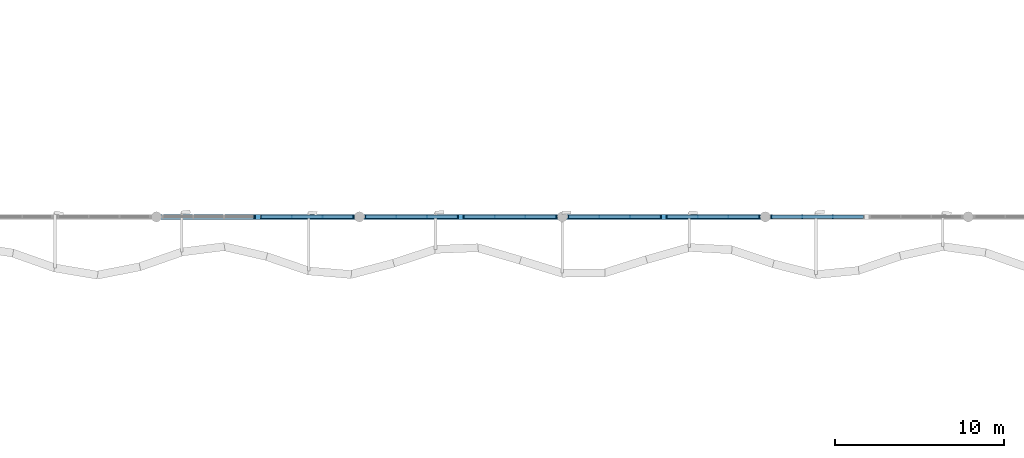
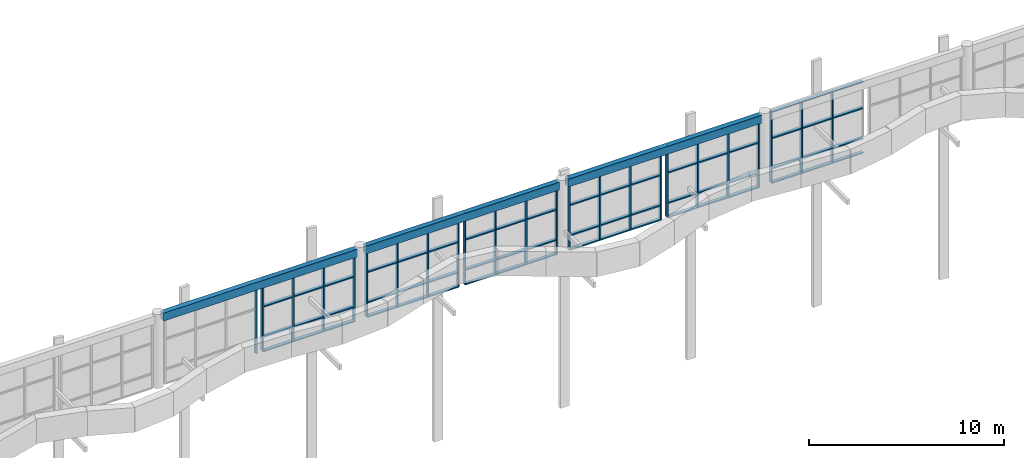
# One storey, part 17 of 63: 48 members, 3 beams, 7 elements without a shape of their own.
"""IFC4 building model written with IfcOpenShell, lengths in metres."""

from ifc_helpers import new_model, si_unit, direction, frame, origin, origin_2d, place, context, subcontext, project, spatial, rectangle, hollow_rectangle, extrude, material, layer, layer_set, material_profile, profile_set, type_object, element, aggregate, save


model = new_model("IFC4")

# Units and contexts
model_context = context("Model", 3, precision=1e-05, world=origin(), true_north=direction((0.0, 1.0)))
body_context = subcontext(model_context, "Body", "Model", "MODEL_VIEW")
ifc_project = project(units=[si_unit("LENGTHUNIT", "METRE"), si_unit("AREAUNIT", "SQUARE_METRE"), si_unit("VOLUMEUNIT", "CUBIC_METRE"), si_unit("PLANEANGLEUNIT", "RADIAN"), si_unit("MASSUNIT", "GRAM", prefix="KILO")], contexts=[model_context])

# Site, building, storey
site_placement = place(None, origin())
site = spatial("IfcSite", under=ifc_project, at=site_placement, CompositionType="ELEMENT")
building_placement = place(site_placement, origin())
building = spatial("IfcBuilding", under=site, at=building_placement, Name="Keelwater Ferry Terminal", CompositionType="ELEMENT")
storey_placement = place(building_placement, frame((0.0, 0.0, 10.199951171875)))
storey = spatial("IfcBuildingStorey", under=building, at=storey_placement, Name="L02", CompositionType="ELEMENT", Elevation=10.199951171875)

# Curtain wall, member
ifc_material_1 = material(Name="Thermally broken unitised aluminium and triple glass", Category="aluminium")
ifc_layer = layer(ifc_material_1, 0.179931640625)
ifc_layer_set = layer_set([ifc_layer], Name="Thermally broken unitised aluminium and triple glass")
curtain_wall_type = type_object("IfcCurtainWallType", Name="CW-04 Unitised Curtain Wall 5430x4450", PredefinedType="USERDEFINED", material=ifc_layer_set)
curtain_wall_1_placement = place(storey_placement, origin())
curtain_wall_1 = element("IfcCurtainWall", 1, at=curtain_wall_1_placement, inside=storey, type_object=curtain_wall_type, Name="Unitised Curtain Wall CW-L02-013", ObjectType="UNITISED CURTAIN WALL", PredefinedType="USERDEFINED")
ifc_material_2 = material(Name="Aluminium mullion", Category="aluminium")
ifc_material_profile_1 = material_profile(ifc_material_2, rectangle(XDim=0.074951171875, YDim=0.219970703125, at=origin_2d()), Name="CWM-02")
ifc_profile_set_1 = profile_set([ifc_material_profile_1], Name="Aluminium mullion")
member_type_1 = type_object("IfcMemberType", Name="CWM-02 Curtain Mullion 75x220", PredefinedType="MULLION", material=ifc_profile_set_1)
member_1_placement = place(storey_placement, frame((65.804931640625, 42.0, 0.0), z_axis=(0.0, 0.0, 1.0), x_axis=(1.0, 0.0, 0.0)))
member_1 = element("IfcMember", 2, at=member_1_placement, type_object=member_type_1, Name="CW-L02-013 Mullion 4", PredefinedType="MULLION", context=body_context, shape_type="SweptSolid", body=[
    extrude(rectangle(XDim=0.074951171875, YDim=0.219970703125, at=origin_2d()), origin(), (0.0, 0.0, 1.0), 4.449951171875),
])
aggregate(curtain_wall_1, [member_1])

# Curtain wall, members
curtain_wall_2_placement = place(storey_placement, origin())
curtain_wall_2 = element("IfcCurtainWall", 3, at=curtain_wall_2_placement, inside=storey, type_object=curtain_wall_type, Name="Unitised Curtain Wall CW-L02-014", ObjectType="UNITISED CURTAIN WALL", PredefinedType="USERDEFINED")
member_2_placement = place(storey_placement, frame((66.195068359375, 42.0, 0.0), z_axis=(0.0, 0.0, 1.0), x_axis=(1.0, 0.0, 0.0)))
member_2 = element("IfcMember", 4, at=member_2_placement, type_object=member_type_1, Name="CW-L02-014 Mullion 1", PredefinedType="MULLION", context=body_context, shape_type="SweptSolid", body=[
    extrude(rectangle(XDim=0.074951171875, YDim=0.219970703125, at=origin_2d()), origin(), (0.0, 0.0, 1.0), 4.449951171875),
])
member_3_placement = place(storey_placement, frame((68.0048828125, 42.0, 0.0), z_axis=(0.0, 0.0, 1.0), x_axis=(1.0, 0.0, 0.0)))
member_3 = element("IfcMember", 5, at=member_3_placement, type_object=member_type_1, Name="CW-L02-014 Mullion 2", PredefinedType="MULLION", context=body_context, shape_type="SweptSolid", body=[
    extrude(rectangle(XDim=0.074951171875, YDim=0.219970703125, at=origin_2d()), origin(), (0.0, 0.0, 1.0), 4.449951171875),
])
member_4_placement = place(storey_placement, frame((69.81494140625, 42.0, 0.0), z_axis=(0.0, 0.0, 1.0), x_axis=(1.0, 0.0, 0.0)))
member_4 = element("IfcMember", 6, at=member_4_placement, type_object=member_type_1, Name="CW-L02-014 Mullion 3", PredefinedType="MULLION", context=body_context, shape_type="SweptSolid", body=[
    extrude(rectangle(XDim=0.074951171875, YDim=0.219970703125, at=origin_2d()), origin(), (0.0, 0.0, 1.0), 4.449951171875),
])
member_5_placement = place(storey_placement, frame((71.625, 42.0, 0.0), z_axis=(0.0, 0.0, 1.0), x_axis=(1.0, 0.0, 0.0)))
member_5 = element("IfcMember", 7, at=member_5_placement, type_object=member_type_1, Name="CW-L02-014 Mullion 4", PredefinedType="MULLION", context=body_context, shape_type="SweptSolid", body=[
    extrude(rectangle(XDim=0.074951171875, YDim=0.219970703125, at=origin_2d()), origin(), (0.0, 0.0, 1.0), 4.449951171875),
])

curtain_wall_3_placement = place(storey_placement, origin())
curtain_wall_3 = element("IfcCurtainWall", 8, at=curtain_wall_3_placement, inside=storey, type_object=curtain_wall_type, Name="Unitised Curtain Wall CW-L02-015", ObjectType="UNITISED CURTAIN WALL", PredefinedType="USERDEFINED")
member_6_placement = place(storey_placement, frame((72.375, 42.0, 0.0), z_axis=(0.0, 0.0, 1.0), x_axis=(1.0, 0.0, 0.0)))
member_6 = element("IfcMember", 9, at=member_6_placement, type_object=member_type_1, Name="CW-L02-015 Mullion 1", PredefinedType="MULLION", context=body_context, shape_type="SweptSolid", body=[
    extrude(rectangle(XDim=0.074951171875, YDim=0.219970703125, at=origin_2d()), origin(), (0.0, 0.0, 1.0), 4.449951171875),
])
member_7_placement = place(storey_placement, frame((74.18505859375, 42.0, 0.0), z_axis=(0.0, 0.0, 1.0), x_axis=(1.0, 0.0, 0.0)))
member_7 = element("IfcMember", 10, at=member_7_placement, type_object=member_type_1, Name="CW-L02-015 Mullion 2", PredefinedType="MULLION", context=body_context, shape_type="SweptSolid", body=[
    extrude(rectangle(XDim=0.074951171875, YDim=0.219970703125, at=origin_2d()), origin(), (0.0, 0.0, 1.0), 4.449951171875),
])
member_8_placement = place(storey_placement, frame((75.9951171875, 42.0, 0.0), z_axis=(0.0, 0.0, 1.0), x_axis=(1.0, 0.0, 0.0)))
member_8 = element("IfcMember", 11, at=member_8_placement, type_object=member_type_1, Name="CW-L02-015 Mullion 3", PredefinedType="MULLION", context=body_context, shape_type="SweptSolid", body=[
    extrude(rectangle(XDim=0.074951171875, YDim=0.219970703125, at=origin_2d()), origin(), (0.0, 0.0, 1.0), 4.449951171875),
])
member_9_placement = place(storey_placement, frame((77.804931640625, 42.0, 0.0), z_axis=(0.0, 0.0, 1.0), x_axis=(1.0, 0.0, 0.0)))
member_9 = element("IfcMember", 12, at=member_9_placement, type_object=member_type_1, Name="CW-L02-015 Mullion 4", PredefinedType="MULLION", context=body_context, shape_type="SweptSolid", body=[
    extrude(rectangle(XDim=0.074951171875, YDim=0.219970703125, at=origin_2d()), origin(), (0.0, 0.0, 1.0), 4.449951171875),
])

curtain_wall_4_placement = place(storey_placement, origin())
curtain_wall_4 = element("IfcCurtainWall", 13, at=curtain_wall_4_placement, inside=storey, type_object=curtain_wall_type, Name="Unitised Curtain Wall CW-L02-016", ObjectType="UNITISED CURTAIN WALL", PredefinedType="USERDEFINED")
member_10_placement = place(storey_placement, frame((78.195068359375, 42.0, 0.0), z_axis=(0.0, 0.0, 1.0), x_axis=(1.0, 0.0, 0.0)))
member_10 = element("IfcMember", 14, at=member_10_placement, type_object=member_type_1, Name="CW-L02-016 Mullion 1", PredefinedType="MULLION", context=body_context, shape_type="SweptSolid", body=[
    extrude(rectangle(XDim=0.074951171875, YDim=0.219970703125, at=origin_2d()), origin(), (0.0, 0.0, 1.0), 4.449951171875),
])
member_11_placement = place(storey_placement, frame((80.0048828125, 42.0, 0.0), z_axis=(0.0, 0.0, 1.0), x_axis=(1.0, 0.0, 0.0)))
member_11 = element("IfcMember", 15, at=member_11_placement, type_object=member_type_1, Name="CW-L02-016 Mullion 2", PredefinedType="MULLION", context=body_context, shape_type="SweptSolid", body=[
    extrude(rectangle(XDim=0.074951171875, YDim=0.219970703125, at=origin_2d()), origin(), (0.0, 0.0, 1.0), 4.449951171875),
])
member_12_placement = place(storey_placement, frame((81.81494140625, 42.0, 0.0), z_axis=(0.0, 0.0, 1.0), x_axis=(1.0, 0.0, 0.0)))
member_12 = element("IfcMember", 16, at=member_12_placement, type_object=member_type_1, Name="CW-L02-016 Mullion 3", PredefinedType="MULLION", context=body_context, shape_type="SweptSolid", body=[
    extrude(rectangle(XDim=0.074951171875, YDim=0.219970703125, at=origin_2d()), origin(), (0.0, 0.0, 1.0), 4.449951171875),
])
member_13_placement = place(storey_placement, frame((83.625, 42.0, 0.0), z_axis=(0.0, 0.0, 1.0), x_axis=(1.0, 0.0, 0.0)))
member_13 = element("IfcMember", 17, at=member_13_placement, type_object=member_type_1, Name="CW-L02-016 Mullion 4", PredefinedType="MULLION", context=body_context, shape_type="SweptSolid", body=[
    extrude(rectangle(XDim=0.074951171875, YDim=0.219970703125, at=origin_2d()), origin(), (0.0, 0.0, 1.0), 4.449951171875),
])

curtain_wall_5_placement = place(storey_placement, origin())
curtain_wall_5 = element("IfcCurtainWall", 18, at=curtain_wall_5_placement, inside=storey, type_object=curtain_wall_type, Name="Unitised Curtain Wall CW-L02-017", ObjectType="UNITISED CURTAIN WALL", PredefinedType="USERDEFINED")
member_14_placement = place(storey_placement, frame((84.375, 42.0, 0.0), z_axis=(0.0, 0.0, 1.0), x_axis=(1.0, 0.0, 0.0)))
member_14 = element("IfcMember", 19, at=member_14_placement, type_object=member_type_1, Name="CW-L02-017 Mullion 1", PredefinedType="MULLION", context=body_context, shape_type="SweptSolid", body=[
    extrude(rectangle(XDim=0.074951171875, YDim=0.219970703125, at=origin_2d()), origin(), (0.0, 0.0, 1.0), 4.449951171875),
])
member_15_placement = place(storey_placement, frame((86.18505859375, 42.0, 0.0), z_axis=(0.0, 0.0, 1.0), x_axis=(1.0, 0.0, 0.0)))
member_15 = element("IfcMember", 20, at=member_15_placement, type_object=member_type_1, Name="CW-L02-017 Mullion 2", PredefinedType="MULLION", context=body_context, shape_type="SweptSolid", body=[
    extrude(rectangle(XDim=0.074951171875, YDim=0.219970703125, at=origin_2d()), origin(), (0.0, 0.0, 1.0), 4.449951171875),
])
member_16_placement = place(storey_placement, frame((87.9951171875, 42.0, 0.0), z_axis=(0.0, 0.0, 1.0), x_axis=(1.0, 0.0, 0.0)))
member_16 = element("IfcMember", 21, at=member_16_placement, type_object=member_type_1, Name="CW-L02-017 Mullion 3", PredefinedType="MULLION", context=body_context, shape_type="SweptSolid", body=[
    extrude(rectangle(XDim=0.074951171875, YDim=0.219970703125, at=origin_2d()), origin(), (0.0, 0.0, 1.0), 4.449951171875),
])
member_17_placement = place(storey_placement, frame((89.804931640625, 42.0, 0.0), z_axis=(0.0, 0.0, 1.0), x_axis=(1.0, 0.0, 0.0)))
member_17 = element("IfcMember", 22, at=member_17_placement, type_object=member_type_1, Name="CW-L02-017 Mullion 4", PredefinedType="MULLION", context=body_context, shape_type="SweptSolid", body=[
    extrude(rectangle(XDim=0.074951171875, YDim=0.219970703125, at=origin_2d()), origin(), (0.0, 0.0, 1.0), 4.449951171875),
])

curtain_wall_6_placement = place(storey_placement, origin())
curtain_wall_6 = element("IfcCurtainWall", 23, at=curtain_wall_6_placement, inside=storey, type_object=curtain_wall_type, Name="Unitised Curtain Wall CW-L02-018", ObjectType="UNITISED CURTAIN WALL", PredefinedType="USERDEFINED")
member_18_placement = place(storey_placement, frame((90.195068359375, 42.0, 0.0), z_axis=(0.0, 0.0, 1.0), x_axis=(1.0, 0.0, 0.0)))
member_18 = element("IfcMember", 24, at=member_18_placement, type_object=member_type_1, Name="CW-L02-018 Mullion 1", PredefinedType="MULLION", context=body_context, shape_type="SweptSolid", body=[
    extrude(rectangle(XDim=0.074951171875, YDim=0.219970703125, at=origin_2d()), origin(), (0.0, 0.0, 1.0), 4.449951171875),
])
member_19_placement = place(storey_placement, frame((92.0048828125, 42.0, 0.0), z_axis=(0.0, 0.0, 1.0), x_axis=(1.0, 0.0, 0.0)))
member_19 = element("IfcMember", 25, at=member_19_placement, type_object=member_type_1, Name="CW-L02-018 Mullion 2", PredefinedType="MULLION", context=body_context, shape_type="SweptSolid", body=[
    extrude(rectangle(XDim=0.074951171875, YDim=0.219970703125, at=origin_2d()), origin(), (0.0, 0.0, 1.0), 4.449951171875),
])
member_20_placement = place(storey_placement, frame((93.81494140625, 42.0, 0.0), z_axis=(0.0, 0.0, 1.0), x_axis=(1.0, 0.0, 0.0)))
member_20 = element("IfcMember", 26, at=member_20_placement, type_object=member_type_1, Name="CW-L02-018 Mullion 3", PredefinedType="MULLION", context=body_context, shape_type="SweptSolid", body=[
    extrude(rectangle(XDim=0.074951171875, YDim=0.219970703125, at=origin_2d()), origin(), (0.0, 0.0, 1.0), 4.449951171875),
])
member_21_placement = place(storey_placement, frame((95.625, 42.0, 0.0), z_axis=(0.0, 0.0, 1.0), x_axis=(1.0, 0.0, 0.0)))
member_21 = element("IfcMember", 27, at=member_21_placement, type_object=member_type_1, Name="CW-L02-018 Mullion 4", PredefinedType="MULLION", context=body_context, shape_type="SweptSolid", body=[
    extrude(rectangle(XDim=0.074951171875, YDim=0.219970703125, at=origin_2d()), origin(), (0.0, 0.0, 1.0), 4.449951171875),
])

curtain_wall_7_placement = place(storey_placement, origin())
curtain_wall_7 = element("IfcCurtainWall", 28, at=curtain_wall_7_placement, inside=storey, type_object=curtain_wall_type, Name="Unitised Curtain Wall CW-L02-019", ObjectType="UNITISED CURTAIN WALL", PredefinedType="USERDEFINED")
member_22_placement = place(storey_placement, frame((96.375, 42.0, 0.0), z_axis=(0.0, 0.0, 1.0), x_axis=(1.0, 0.0, 0.0)))
member_22 = element("IfcMember", 29, at=member_22_placement, type_object=member_type_1, Name="CW-L02-019 Mullion 1", PredefinedType="MULLION", context=body_context, shape_type="SweptSolid", body=[
    extrude(rectangle(XDim=0.074951171875, YDim=0.219970703125, at=origin_2d()), origin(), (0.0, 0.0, 1.0), 4.449951171875),
])
member_23_placement = place(storey_placement, frame((98.18505859375, 42.0, 0.0), z_axis=(0.0, 0.0, 1.0), x_axis=(1.0, 0.0, 0.0)))
member_23 = element("IfcMember", 30, at=member_23_placement, type_object=member_type_1, Name="CW-L02-019 Mullion 2", PredefinedType="MULLION", context=body_context, shape_type="SweptSolid", body=[
    extrude(rectangle(XDim=0.074951171875, YDim=0.219970703125, at=origin_2d()), origin(), (0.0, 0.0, 1.0), 4.449951171875),
])
member_24_placement = place(storey_placement, frame((99.9951171875, 42.0, 0.0), z_axis=(0.0, 0.0, 1.0), x_axis=(1.0, 0.0, 0.0)))
member_24 = element("IfcMember", 31, at=member_24_placement, type_object=member_type_1, Name="CW-L02-019 Mullion 3", PredefinedType="MULLION", context=body_context, shape_type="SweptSolid", body=[
    extrude(rectangle(XDim=0.074951171875, YDim=0.219970703125, at=origin_2d()), origin(), (0.0, 0.0, 1.0), 4.449951171875),
])

# Member
ifc_material_3 = material(Name="Aluminium mullion", Category="aluminium")
ifc_material_profile_2 = material_profile(ifc_material_3, rectangle(XDim=0.199951171875, YDim=0.074951171875, at=origin_2d()), Name="CWT-02")
ifc_profile_set_2 = profile_set([ifc_material_profile_2], Name="Aluminium mullion")
member_type_2 = type_object("IfcMemberType", Name="CWT-02 Curtain Transom 75x200", PredefinedType="USERDEFINED", material=ifc_profile_set_2)
member_25_placement = place(storey_placement, frame((66.195068359375, 42.0, 0.0), z_axis=(1.0, 0.0, 0.0), x_axis=(0.0, 1.0, 0.0)))
member_25 = element("IfcMember", 32, at=member_25_placement, type_object=member_type_2, Name="CW-L02-014 Transom 1", ObjectType="TRANSOM", PredefinedType="USERDEFINED", context=body_context, shape_type="SweptSolid", body=[
    extrude(rectangle(XDim=0.199951171875, YDim=0.074951171875, at=origin_2d()), origin(), (0.0, 0.0, 1.0), 5.429931640625),
])

member_26_placement = place(storey_placement, frame((66.195068359375, 42.0, 0.900146484375), z_axis=(1.0, 0.0, 0.0), x_axis=(0.0, 1.0, 0.0)))
member_26 = element("IfcMember", 33, at=member_26_placement, type_object=member_type_2, Name="CW-L02-014 Transom 2", ObjectType="TRANSOM", PredefinedType="USERDEFINED", context=body_context, shape_type="SweptSolid", body=[
    extrude(rectangle(XDim=0.199951171875, YDim=0.074951171875, at=origin_2d()), origin(), (0.0, 0.0, 1.0), 5.429931640625),
])

member_27_placement = place(storey_placement, frame((66.195068359375, 42.0, 2.800048828125), z_axis=(1.0, 0.0, 0.0), x_axis=(0.0, 1.0, 0.0)))
member_27 = element("IfcMember", 34, at=member_27_placement, type_object=member_type_2, Name="CW-L02-014 Transom 3", ObjectType="TRANSOM", PredefinedType="USERDEFINED", context=body_context, shape_type="SweptSolid", body=[
    extrude(rectangle(XDim=0.199951171875, YDim=0.074951171875, at=origin_2d()), origin(), (0.0, 0.0, 1.0), 5.429931640625),
])

member_28_placement = place(storey_placement, frame((66.195068359375, 42.0, 4.449951171875), z_axis=(1.0, 0.0, 0.0), x_axis=(0.0, 1.0, 0.0)))
member_28 = element("IfcMember", 35, at=member_28_placement, type_object=member_type_2, Name="CW-L02-014 Transom 4", ObjectType="TRANSOM", PredefinedType="USERDEFINED", context=body_context, shape_type="SweptSolid", body=[
    extrude(rectangle(XDim=0.199951171875, YDim=0.074951171875, at=origin_2d()), origin(), (0.0, 0.0, 1.0), 5.429931640625),
])

aggregate(curtain_wall_2, [member_2, member_3, member_4, member_5, member_25, member_26, member_27, member_28])

member_29_placement = place(storey_placement, frame((72.375, 42.0, 0.0), z_axis=(1.0, 0.0, 0.0), x_axis=(0.0, 1.0, 0.0)))
member_29 = element("IfcMember", 36, at=member_29_placement, type_object=member_type_2, Name="CW-L02-015 Transom 1", ObjectType="TRANSOM", PredefinedType="USERDEFINED", context=body_context, shape_type="SweptSolid", body=[
    extrude(rectangle(XDim=0.199951171875, YDim=0.074951171875, at=origin_2d()), origin(), (0.0, 0.0, 1.0), 5.429931640625),
])

member_30_placement = place(storey_placement, frame((72.375, 42.0, 0.900146484375), z_axis=(1.0, 0.0, 0.0), x_axis=(0.0, 1.0, 0.0)))
member_30 = element("IfcMember", 37, at=member_30_placement, type_object=member_type_2, Name="CW-L02-015 Transom 2", ObjectType="TRANSOM", PredefinedType="USERDEFINED", context=body_context, shape_type="SweptSolid", body=[
    extrude(rectangle(XDim=0.199951171875, YDim=0.074951171875, at=origin_2d()), origin(), (0.0, 0.0, 1.0), 5.429931640625),
])

member_31_placement = place(storey_placement, frame((72.375, 42.0, 2.800048828125), z_axis=(1.0, 0.0, 0.0), x_axis=(0.0, 1.0, 0.0)))
member_31 = element("IfcMember", 38, at=member_31_placement, type_object=member_type_2, Name="CW-L02-015 Transom 3", ObjectType="TRANSOM", PredefinedType="USERDEFINED", context=body_context, shape_type="SweptSolid", body=[
    extrude(rectangle(XDim=0.199951171875, YDim=0.074951171875, at=origin_2d()), origin(), (0.0, 0.0, 1.0), 5.429931640625),
])

member_32_placement = place(storey_placement, frame((72.375, 42.0, 4.449951171875), z_axis=(1.0, 0.0, 0.0), x_axis=(0.0, 1.0, 0.0)))
member_32 = element("IfcMember", 39, at=member_32_placement, type_object=member_type_2, Name="CW-L02-015 Transom 4", ObjectType="TRANSOM", PredefinedType="USERDEFINED", context=body_context, shape_type="SweptSolid", body=[
    extrude(rectangle(XDim=0.199951171875, YDim=0.074951171875, at=origin_2d()), origin(), (0.0, 0.0, 1.0), 5.429931640625),
])

aggregate(curtain_wall_3, [member_6, member_7, member_8, member_9, member_29, member_30, member_31, member_32])

member_33_placement = place(storey_placement, frame((78.195068359375, 42.0, 0.0), z_axis=(1.0, 0.0, 0.0), x_axis=(0.0, 1.0, 0.0)))
member_33 = element("IfcMember", 40, at=member_33_placement, type_object=member_type_2, Name="CW-L02-016 Transom 1", ObjectType="TRANSOM", PredefinedType="USERDEFINED", context=body_context, shape_type="SweptSolid", body=[
    extrude(rectangle(XDim=0.199951171875, YDim=0.074951171875, at=origin_2d()), origin(), (0.0, 0.0, 1.0), 5.429931640625),
])

member_34_placement = place(storey_placement, frame((78.195068359375, 42.0, 0.900146484375), z_axis=(1.0, 0.0, 0.0), x_axis=(0.0, 1.0, 0.0)))
member_34 = element("IfcMember", 41, at=member_34_placement, type_object=member_type_2, Name="CW-L02-016 Transom 2", ObjectType="TRANSOM", PredefinedType="USERDEFINED", context=body_context, shape_type="SweptSolid", body=[
    extrude(rectangle(XDim=0.199951171875, YDim=0.074951171875, at=origin_2d()), origin(), (0.0, 0.0, 1.0), 5.429931640625),
])

member_35_placement = place(storey_placement, frame((78.195068359375, 42.0, 2.800048828125), z_axis=(1.0, 0.0, 0.0), x_axis=(0.0, 1.0, 0.0)))
member_35 = element("IfcMember", 42, at=member_35_placement, type_object=member_type_2, Name="CW-L02-016 Transom 3", ObjectType="TRANSOM", PredefinedType="USERDEFINED", context=body_context, shape_type="SweptSolid", body=[
    extrude(rectangle(XDim=0.199951171875, YDim=0.074951171875, at=origin_2d()), origin(), (0.0, 0.0, 1.0), 5.429931640625),
])

member_36_placement = place(storey_placement, frame((78.195068359375, 42.0, 4.449951171875), z_axis=(1.0, 0.0, 0.0), x_axis=(0.0, 1.0, 0.0)))
member_36 = element("IfcMember", 43, at=member_36_placement, type_object=member_type_2, Name="CW-L02-016 Transom 4", ObjectType="TRANSOM", PredefinedType="USERDEFINED", context=body_context, shape_type="SweptSolid", body=[
    extrude(rectangle(XDim=0.199951171875, YDim=0.074951171875, at=origin_2d()), origin(), (0.0, 0.0, 1.0), 5.429931640625),
])

aggregate(curtain_wall_4, [member_10, member_11, member_12, member_13, member_33, member_34, member_35, member_36])

member_37_placement = place(storey_placement, frame((84.375, 42.0, 0.0), z_axis=(1.0, 0.0, 0.0), x_axis=(0.0, 1.0, 0.0)))
member_37 = element("IfcMember", 44, at=member_37_placement, type_object=member_type_2, Name="CW-L02-017 Transom 1", ObjectType="TRANSOM", PredefinedType="USERDEFINED", context=body_context, shape_type="SweptSolid", body=[
    extrude(rectangle(XDim=0.199951171875, YDim=0.074951171875, at=origin_2d()), origin(), (0.0, 0.0, 1.0), 5.429931640625),
])

member_38_placement = place(storey_placement, frame((84.375, 42.0, 0.900146484375), z_axis=(1.0, 0.0, 0.0), x_axis=(0.0, 1.0, 0.0)))
member_38 = element("IfcMember", 45, at=member_38_placement, type_object=member_type_2, Name="CW-L02-017 Transom 2", ObjectType="TRANSOM", PredefinedType="USERDEFINED", context=body_context, shape_type="SweptSolid", body=[
    extrude(rectangle(XDim=0.199951171875, YDim=0.074951171875, at=origin_2d()), origin(), (0.0, 0.0, 1.0), 5.429931640625),
])

member_39_placement = place(storey_placement, frame((84.375, 42.0, 2.800048828125), z_axis=(1.0, 0.0, 0.0), x_axis=(0.0, 1.0, 0.0)))
member_39 = element("IfcMember", 46, at=member_39_placement, type_object=member_type_2, Name="CW-L02-017 Transom 3", ObjectType="TRANSOM", PredefinedType="USERDEFINED", context=body_context, shape_type="SweptSolid", body=[
    extrude(rectangle(XDim=0.199951171875, YDim=0.074951171875, at=origin_2d()), origin(), (0.0, 0.0, 1.0), 5.429931640625),
])

member_40_placement = place(storey_placement, frame((84.375, 42.0, 4.449951171875), z_axis=(1.0, 0.0, 0.0), x_axis=(0.0, 1.0, 0.0)))
member_40 = element("IfcMember", 47, at=member_40_placement, type_object=member_type_2, Name="CW-L02-017 Transom 4", ObjectType="TRANSOM", PredefinedType="USERDEFINED", context=body_context, shape_type="SweptSolid", body=[
    extrude(rectangle(XDim=0.199951171875, YDim=0.074951171875, at=origin_2d()), origin(), (0.0, 0.0, 1.0), 5.429931640625),
])

aggregate(curtain_wall_5, [member_14, member_15, member_16, member_17, member_37, member_38, member_39, member_40])

member_41_placement = place(storey_placement, frame((90.195068359375, 42.0, 0.0), z_axis=(1.0, 0.0, 0.0), x_axis=(0.0, 1.0, 0.0)))
member_41 = element("IfcMember", 48, at=member_41_placement, type_object=member_type_2, Name="CW-L02-018 Transom 1", ObjectType="TRANSOM", PredefinedType="USERDEFINED", context=body_context, shape_type="SweptSolid", body=[
    extrude(rectangle(XDim=0.199951171875, YDim=0.074951171875, at=origin_2d()), origin(), (0.0, 0.0, 1.0), 5.429931640625),
])

member_42_placement = place(storey_placement, frame((90.195068359375, 42.0, 0.900146484375), z_axis=(1.0, 0.0, 0.0), x_axis=(0.0, 1.0, 0.0)))
member_42 = element("IfcMember", 49, at=member_42_placement, type_object=member_type_2, Name="CW-L02-018 Transom 2", ObjectType="TRANSOM", PredefinedType="USERDEFINED", context=body_context, shape_type="SweptSolid", body=[
    extrude(rectangle(XDim=0.199951171875, YDim=0.074951171875, at=origin_2d()), origin(), (0.0, 0.0, 1.0), 5.429931640625),
])

member_43_placement = place(storey_placement, frame((90.195068359375, 42.0, 2.800048828125), z_axis=(1.0, 0.0, 0.0), x_axis=(0.0, 1.0, 0.0)))
member_43 = element("IfcMember", 50, at=member_43_placement, type_object=member_type_2, Name="CW-L02-018 Transom 3", ObjectType="TRANSOM", PredefinedType="USERDEFINED", context=body_context, shape_type="SweptSolid", body=[
    extrude(rectangle(XDim=0.199951171875, YDim=0.074951171875, at=origin_2d()), origin(), (0.0, 0.0, 1.0), 5.429931640625),
])

member_44_placement = place(storey_placement, frame((90.195068359375, 42.0, 4.449951171875), z_axis=(1.0, 0.0, 0.0), x_axis=(0.0, 1.0, 0.0)))
member_44 = element("IfcMember", 51, at=member_44_placement, type_object=member_type_2, Name="CW-L02-018 Transom 4", ObjectType="TRANSOM", PredefinedType="USERDEFINED", context=body_context, shape_type="SweptSolid", body=[
    extrude(rectangle(XDim=0.199951171875, YDim=0.074951171875, at=origin_2d()), origin(), (0.0, 0.0, 1.0), 5.429931640625),
])

aggregate(curtain_wall_6, [member_18, member_19, member_20, member_21, member_41, member_42, member_43, member_44])

member_45_placement = place(storey_placement, frame((96.375, 42.0, 0.0), z_axis=(1.0, 0.0, 0.0), x_axis=(0.0, 1.0, 0.0)))
member_45 = element("IfcMember", 52, at=member_45_placement, type_object=member_type_2, Name="CW-L02-019 Transom 1", ObjectType="TRANSOM", PredefinedType="USERDEFINED", context=body_context, shape_type="SweptSolid", body=[
    extrude(rectangle(XDim=0.199951171875, YDim=0.074951171875, at=origin_2d()), origin(), (0.0, 0.0, 1.0), 5.429931640625),
])

member_46_placement = place(storey_placement, frame((96.375, 42.0, 0.900146484375), z_axis=(1.0, 0.0, 0.0), x_axis=(0.0, 1.0, 0.0)))
member_46 = element("IfcMember", 53, at=member_46_placement, type_object=member_type_2, Name="CW-L02-019 Transom 2", ObjectType="TRANSOM", PredefinedType="USERDEFINED", context=body_context, shape_type="SweptSolid", body=[
    extrude(rectangle(XDim=0.199951171875, YDim=0.074951171875, at=origin_2d()), origin(), (0.0, 0.0, 1.0), 5.429931640625),
])

member_47_placement = place(storey_placement, frame((96.375, 42.0, 2.800048828125), z_axis=(1.0, 0.0, 0.0), x_axis=(0.0, 1.0, 0.0)))
member_47 = element("IfcMember", 54, at=member_47_placement, type_object=member_type_2, Name="CW-L02-019 Transom 3", ObjectType="TRANSOM", PredefinedType="USERDEFINED", context=body_context, shape_type="SweptSolid", body=[
    extrude(rectangle(XDim=0.199951171875, YDim=0.074951171875, at=origin_2d()), origin(), (0.0, 0.0, 1.0), 5.429931640625),
])

member_48_placement = place(storey_placement, frame((96.375, 42.0, 4.449951171875), z_axis=(1.0, 0.0, 0.0), x_axis=(0.0, 1.0, 0.0)))
member_48 = element("IfcMember", 55, at=member_48_placement, type_object=member_type_2, Name="CW-L02-019 Transom 4", ObjectType="TRANSOM", PredefinedType="USERDEFINED", context=body_context, shape_type="SweptSolid", body=[
    extrude(rectangle(XDim=0.199951171875, YDim=0.074951171875, at=origin_2d()), origin(), (0.0, 0.0, 1.0), 5.429931640625),
])

aggregate(curtain_wall_7, [member_22, member_23, member_24, member_45, member_46, member_47, member_48])

# Beams
ifc_material_4 = material(Name="Steel S355", Category="steel")
ifc_material_profile_3 = material_profile(ifc_material_4, hollow_rectangle(XDim=0.300048828125, YDim=0.5, WallThickness=0.02001953125, at=origin_2d()), Name="RHS 500x300x20")
ifc_profile_set_3 = profile_set([ifc_material_profile_3], Name="Steel S355")
beam_type = type_object("IfcBeamType", Name="RB1E RHS 500x300x20", PredefinedType="SPANDREL", material=ifc_profile_set_3)
for number, where, z_axis, x_axis, name in (
    (56, (60.24609375, 42.0, 4.27001953125), (1.0, 0.0, 0.0), (0.0, 1.0, 0.0), "Beam BM-L02-0986"),
    (57, (72.24609375, 42.0, 4.27001953125), (1.0, 0.0, 0.0), (0.0, 1.0, 0.0), "Beam BM-L02-0987"),
    (58, (84.24609375, 42.0, 4.27001953125), (1.0, 0.0, 0.0), (0.0, 1.0, 0.0), "Beam BM-L02-0988"),
):
    element("IfcBeam", number, at=place(storey_placement, frame(where, z_axis=z_axis, x_axis=x_axis)), inside=storey, type_object=beam_type, Name=name, PredefinedType="SPANDREL", context=body_context, shape_type="SweptSolid", body=[
        extrude(hollow_rectangle(XDim=0.300048828125, YDim=0.5, WallThickness=0.02001953125, at=origin_2d()), origin(), (0.0, 0.0, 1.0), 11.5078125),
    ])

save(model, "model.ifc")
